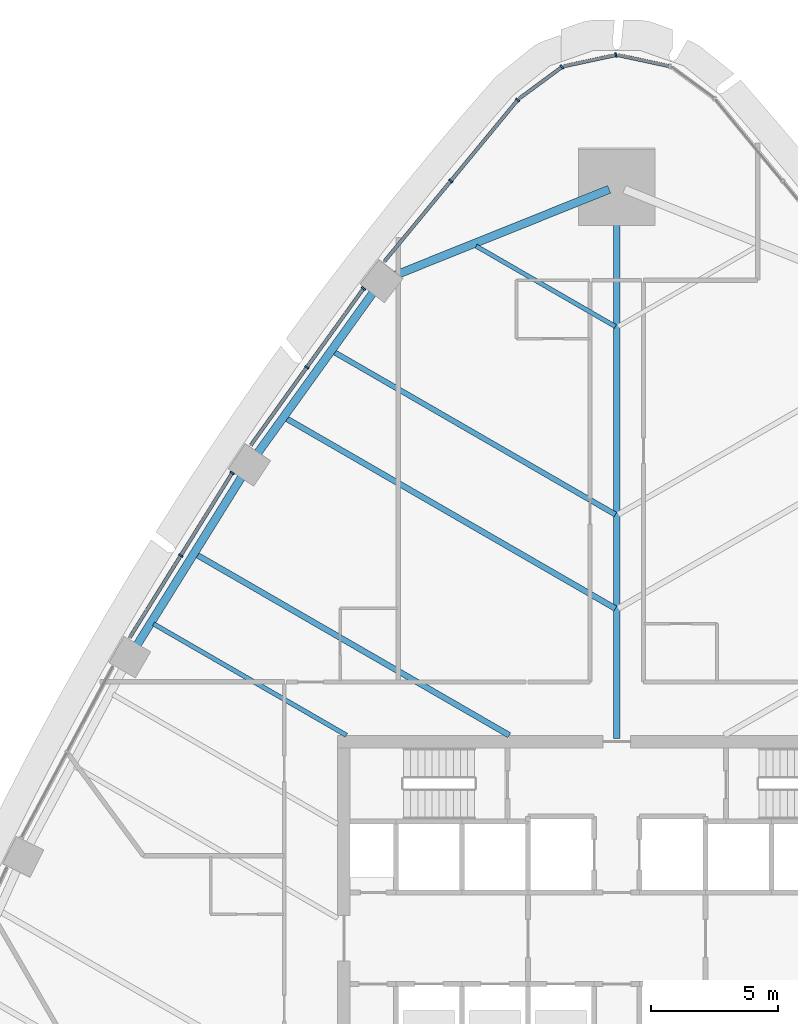
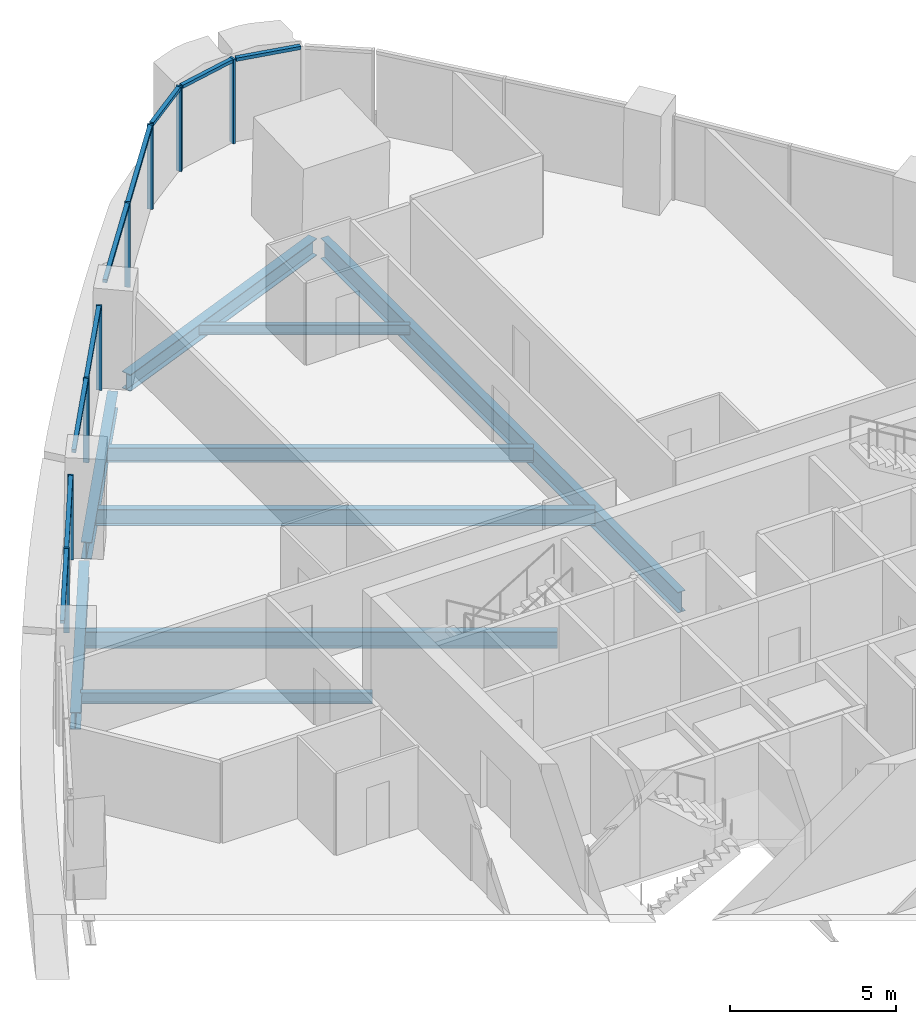
# One storey, part 6 of 17: 17 members, 9 beams, 6 elements without a shape of their own.
"""IFC4 building model written with IfcOpenShell, lengths in metres."""

from ifc_helpers import new_model, si_unit, direction, frame, origin, origin_2d, place, context, subcontext, project, spatial, rectangle, i_section, extrude, material, layer, layer_set, material_profile, profile_set, type_object, element, aggregate, save


model = new_model("IFC4")

# Units and contexts
model_context = context("Model", 3, precision=1e-05, world=origin(), true_north=direction((0.0, 1.0)))
body_context = subcontext(model_context, "Body", "Model", "MODEL_VIEW")
ifc_project = project(units=[si_unit("LENGTHUNIT", "METRE"), si_unit("AREAUNIT", "SQUARE_METRE"), si_unit("VOLUMEUNIT", "CUBIC_METRE"), si_unit("PLANEANGLEUNIT", "RADIAN"), si_unit("MASSUNIT", "GRAM", prefix="KILO")], contexts=[model_context])

# Site, building, storey
site_placement = place(None, origin())
site = spatial("IfcSite", under=ifc_project, at=site_placement, CompositionType="ELEMENT")
building_placement = place(site_placement, origin())
building = spatial("IfcBuilding", under=site, at=building_placement, Name="Sierra Prisma Convention Tower", CompositionType="ELEMENT")
storey_placement = place(building_placement, frame((0.0, 0.0, 99.800048828125)))
storey = spatial("IfcBuildingStorey", under=building, at=storey_placement, Name="L21", CompositionType="ELEMENT", Elevation=99.800048828125)

# Curtain wall, member
ifc_material_1 = material(Name="Aluminium and glass curtain wall", Category="aluminium")
ifc_layer = layer(ifc_material_1, 0.179931640625)
ifc_layer_set = layer_set([ifc_layer], Name="CW-1 Plain shaft curtain wall")
curtain_wall_type = type_object("IfcCurtainWallType", Name="CW-1 Plain shaft curtain wall", PredefinedType="NOTDEFINED", material=ifc_layer_set)
curtain_wall_1_placement = place(storey_placement, origin())
curtain_wall_1 = element("IfcCurtainWall", 1, at=curtain_wall_1_placement, inside=storey, type_object=curtain_wall_type, Name="CW-1 N3 L21", PredefinedType="NOTDEFINED")
ifc_material_2 = material(Name="Aluminium 6063-T6 bronze anodised", Category="aluminium")
ifc_material_profile_1 = material_profile(ifc_material_2, rectangle(XDim=0.179931640625, YDim=0.070068359375, at=origin_2d()), Name="ALU MULLION 70x180")
ifc_profile_set_1 = profile_set([ifc_material_profile_1], Name="Aluminium 6063-T6 bronze anodised")
member_type_1 = type_object("IfcMemberType", Name="CW mullion bronze", PredefinedType="MULLION", material=ifc_profile_set_1)
member_1_placement = place(storey_placement, frame((-0.0341796875, 34.800048828125, 0.0), z_axis=(0.0, 0.0, 1.0), x_axis=(0.210279651786, -0.977641277793, 0.0)))
member_1 = element("IfcMember", 2, at=member_1_placement, type_object=member_type_1, Name="CW-1 mullion N3.1", PredefinedType="MULLION", context=body_context, shape_type="SweptSolid", body=[
    extrude(rectangle(XDim=0.179931640625, YDim=0.070068359375, at=origin_2d()), origin(), (0.0, 0.0, 1.0), 3.099853515625),
])

curtain_wall_2_placement = place(storey_placement, origin())
curtain_wall_2 = element("IfcCurtainWall", 3, at=curtain_wall_2_placement, inside=storey, type_object=curtain_wall_type, Name="CW-1 N4 L21", PredefinedType="NOTDEFINED")
member_2_placement = place(storey_placement, frame((-2.157470703125, 34.32861328125, 0.0), z_axis=(0.0, 0.0, 1.0), x_axis=(0.593646766455, -0.804725740037, 0.0)))
member_2 = element("IfcMember", 4, at=member_2_placement, type_object=member_type_1, Name="CW-1 mullion N4.1", PredefinedType="MULLION", context=body_context, shape_type="SweptSolid", body=[
    extrude(rectangle(XDim=0.179931640625, YDim=0.070068359375, at=origin_2d()), origin(), (0.0, 0.0, 1.0), 3.099853515625),
])

# Curtain wall, members
curtain_wall_3_placement = place(storey_placement, origin())
curtain_wall_3 = element("IfcCurtainWall", 5, at=curtain_wall_3_placement, inside=storey, type_object=curtain_wall_type, Name="CW-1 NW1 L21", PredefinedType="NOTDEFINED")
member_3_placement = place(storey_placement, frame((-3.904052734375, 33.029541015625, 0.0), z_axis=(0.0, 0.0, 1.0), x_axis=(0.771207774523, -0.636583512601, 0.0)))
member_3 = element("IfcMember", 6, at=member_3_placement, type_object=member_type_1, Name="CW-1 mullion NW1.1", PredefinedType="MULLION", context=body_context, shape_type="SweptSolid", body=[
    extrude(rectangle(XDim=0.179931640625, YDim=0.070068359375, at=origin_2d()), origin(), (0.0, 0.0, 1.0), 3.099853515625),
])
member_4_placement = place(storey_placement, frame((-6.54052734375, 29.83544921875, 0.0), z_axis=(0.0, 0.0, 1.0), x_axis=(0.771207774523, -0.636583512601, 0.0)))
member_4 = element("IfcMember", 7, at=member_4_placement, type_object=member_type_1, Name="CW-1 mullion NW1.2", PredefinedType="MULLION", context=body_context, shape_type="SweptSolid", body=[
    extrude(rectangle(XDim=0.179931640625, YDim=0.070068359375, at=origin_2d()), origin(), (0.0, 0.0, 1.0), 3.099853515625),
])

curtain_wall_4_placement = place(storey_placement, origin())
curtain_wall_4 = element("IfcCurtainWall", 8, at=curtain_wall_4_placement, inside=storey, type_object=curtain_wall_type, Name="CW-1 NW2 L21", PredefinedType="NOTDEFINED")
member_5_placement = place(storey_placement, frame((-9.978515625, 25.599365234375, 0.0), z_axis=(0.0, 0.0, 1.0), x_axis=(0.811854125808, -0.583860324401, 0.0)))
member_5 = element("IfcMember", 9, at=member_5_placement, type_object=member_type_1, Name="CW-1 mullion NW2.1", PredefinedType="MULLION", context=body_context, shape_type="SweptSolid", body=[
    extrude(rectangle(XDim=0.179931640625, YDim=0.070068359375, at=origin_2d()), origin(), (0.0, 0.0, 1.0), 3.099853515625),
])
member_6_placement = place(storey_placement, frame((-12.208251953125, 22.498779296875, 0.0), z_axis=(0.0, 0.0, 1.0), x_axis=(0.811854125808, -0.583860324401, 0.0)))
member_6 = element("IfcMember", 10, at=member_6_placement, type_object=member_type_1, Name="CW-1 mullion NW2.2", PredefinedType="MULLION", context=body_context, shape_type="SweptSolid", body=[
    extrude(rectangle(XDim=0.179931640625, YDim=0.070068359375, at=origin_2d()), origin(), (0.0, 0.0, 1.0), 3.099853515625),
])

curtain_wall_5_placement = place(storey_placement, origin())
curtain_wall_5 = element("IfcCurtainWall", 11, at=curtain_wall_5_placement, inside=storey, type_object=curtain_wall_type, Name="CW-1 NW3 L21", PredefinedType="NOTDEFINED")
member_7_placement = place(storey_placement, frame((-15.1513671875, 18.332763671875, 0.0), z_axis=(0.0, 0.0, 1.0), x_axis=(0.848902452904, -0.528549548722, 0.0)))
member_7 = element("IfcMember", 12, at=member_7_placement, type_object=member_type_1, Name="CW-1 mullion NW3.1", PredefinedType="MULLION", context=body_context, shape_type="SweptSolid", body=[
    extrude(rectangle(XDim=0.179931640625, YDim=0.070068359375, at=origin_2d()), origin(), (0.0, 0.0, 1.0), 3.099853515625),
])
member_8_placement = place(storey_placement, frame((-17.178466796875, 15.076904296875, 0.0), z_axis=(0.0, 0.0, 1.0), x_axis=(0.848902452904, -0.528549548722, 0.0)))
member_8 = element("IfcMember", 13, at=member_8_placement, type_object=member_type_1, Name="CW-1 mullion NW3.2", PredefinedType="MULLION", context=body_context, shape_type="SweptSolid", body=[
    extrude(rectangle(XDim=0.179931640625, YDim=0.070068359375, at=origin_2d()), origin(), (0.0, 0.0, 1.0), 3.099853515625),
])

# Curtain wall, member
curtain_wall_6_placement = place(storey_placement, origin())
curtain_wall_6 = element("IfcCurtainWall", 14, at=curtain_wall_6_placement, inside=storey, type_object=curtain_wall_type, Name="CW-1 N2 L21", PredefinedType="NOTDEFINED")
ifc_material_3 = material(Name="Aluminium 6063-T6 bronze anodised", Category="aluminium")
ifc_material_profile_2 = material_profile(ifc_material_3, rectangle(XDim=0.139892578125, YDim=0.1201171875, at=origin_2d()), Name="ALU TRANSOM 120x140")
ifc_profile_set_2 = profile_set([ifc_material_profile_2], Name="Aluminium 6063-T6 bronze anodised")
member_type_2 = type_object("IfcMemberType", Name="CW transom bronze", PredefinedType="USERDEFINED", material=ifc_profile_set_2)
member_9_placement = place(storey_placement, frame((2.060791015625, 34.364013671875, 3.0400390625), z_axis=(-0.977625006092, 0.210355288653, 0.0), x_axis=(-0.210355288653, -0.977625006092, 0.0)))
member_9 = element("IfcMember", 15, at=member_9_placement, type_object=member_type_2, Name="CW-1 transom N2.1", ObjectType="TRANSOM", PredefinedType="USERDEFINED", context=body_context, shape_type="SweptSolid", body=[
    extrude(rectangle(XDim=0.139892578125, YDim=0.1201171875, at=origin_2d()), origin(), (0.0, 0.0, 1.0), 2.0380859375),
])
aggregate(curtain_wall_6, [member_9])

# Member
member_10_placement = place(storey_placement, frame((-0.068359375, 34.792724609375, 3.0400390625), z_axis=(-0.977625006092, -0.210355288653, 0.0), x_axis=(0.210355288653, -0.977625006092, 0.0)))
member_10 = element("IfcMember", 16, at=member_10_placement, type_object=member_type_2, Name="CW-1 transom N3.1", ObjectType="TRANSOM", PredefinedType="USERDEFINED", context=body_context, shape_type="SweptSolid", body=[
    extrude(rectangle(XDim=0.139892578125, YDim=0.1201171875, at=origin_2d()), origin(), (0.0, 0.0, 1.0), 2.0380859375),
])

aggregate(curtain_wall_1, [member_1, member_10])

member_11_placement = place(storey_placement, frame((-2.185546875, 34.307861328125, 3.0400390625), z_axis=(-0.804733512793, -0.593636229848, 0.0), x_axis=(0.593636229848, -0.804733512793, 0.0)))
member_11 = element("IfcMember", 17, at=member_11_placement, type_object=member_type_2, Name="CW-1 transom N4.1", ObjectType="TRANSOM", PredefinedType="USERDEFINED", context=body_context, shape_type="SweptSolid", body=[
    extrude(rectangle(XDim=0.139892578125, YDim=0.1201171875, at=origin_2d()), origin(), (0.0, 0.0, 1.0), 2.037841796875),
])

aggregate(curtain_wall_2, [member_2, member_11])

member_12_placement = place(storey_placement, frame((-3.92626953125, 33.00244140625, 3.0400390625), z_axis=(-0.636591641936, -0.771201064197, 0.0), x_axis=(0.771201064197, -0.636591641936, 0.0)))
member_12 = element("IfcMember", 18, at=member_12_placement, type_object=member_type_2, Name="CW-1 transom NW1.1", ObjectType="TRANSOM", PredefinedType="USERDEFINED", context=body_context, shape_type="SweptSolid", body=[
    extrude(rectangle(XDim=0.139892578125, YDim=0.1201171875, at=origin_2d()), origin(), (0.0, 0.0, 1.0), 4.07177734375),
])

member_13_placement = place(storey_placement, frame((-6.56298828125, 29.808349609375, 3.0400390625), z_axis=(-0.636555978825, -0.771230501097, 0.0), x_axis=(0.771230501097, -0.636555978825, 0.0)))
member_13 = element("IfcMember", 19, at=member_13_placement, type_object=member_type_2, Name="CW-1 transom NW1.2", ObjectType="TRANSOM", PredefinedType="USERDEFINED", context=body_context, shape_type="SweptSolid", body=[
    extrude(rectangle(XDim=0.139892578125, YDim=0.1201171875, at=origin_2d()), origin(), (0.0, 0.0, 1.0), 4.071533203125),
])

aggregate(curtain_wall_3, [member_3, member_4, member_12, member_13])

member_14_placement = place(storey_placement, frame((-9.9990234375, 25.57080078125, 3.0400390625), z_axis=(-0.583865475186, -0.811850421497, 0.0), x_axis=(0.811850421497, -0.583865475186, 0.0)))
member_14 = element("IfcMember", 20, at=member_14_placement, type_object=member_type_2, Name="CW-1 transom NW2.1", ObjectType="TRANSOM", PredefinedType="USERDEFINED", context=body_context, shape_type="SweptSolid", body=[
    extrude(rectangle(XDim=0.139892578125, YDim=0.1201171875, at=origin_2d()), origin(), (0.0, 0.0, 1.0), 3.7490234375),
])

member_15_placement = place(storey_placement, frame((-12.228759765625, 22.470458984375, 3.0400390625), z_axis=(-0.583865475186, -0.811850421497, 0.0), x_axis=(0.811850421497, -0.583865475186, 0.0)))
member_15 = element("IfcMember", 21, at=member_15_placement, type_object=member_type_2, Name="CW-1 transom NW2.2", ObjectType="TRANSOM", PredefinedType="USERDEFINED", context=body_context, shape_type="SweptSolid", body=[
    extrude(rectangle(XDim=0.139892578125, YDim=0.1201171875, at=origin_2d()), origin(), (0.0, 0.0, 1.0), 3.7490234375),
])

aggregate(curtain_wall_4, [member_5, member_6, member_14, member_15])

member_16_placement = place(storey_placement, frame((-15.169921875, 18.302978515625, 3.0400390625), z_axis=(-0.528529358249, -0.848915023703, 0.0), x_axis=(0.848915023703, -0.528529358249, 0.0)))
member_16 = element("IfcMember", 22, at=member_16_placement, type_object=member_type_2, Name="CW-1 transom NW3.1", ObjectType="TRANSOM", PredefinedType="USERDEFINED", context=body_context, shape_type="SweptSolid", body=[
    extrude(rectangle(XDim=0.139892578125, YDim=0.1201171875, at=origin_2d()), origin(), (0.0, 0.0, 1.0), 3.76513671875),
])

member_17_placement = place(storey_placement, frame((-17.197021484375, 15.04736328125, 3.0400390625), z_axis=(-0.528500266336, -0.84893313546, 0.0), x_axis=(0.84893313546, -0.528500266336, 0.0)))
member_17 = element("IfcMember", 23, at=member_17_placement, type_object=member_type_2, Name="CW-1 transom NW3.2", ObjectType="TRANSOM", PredefinedType="USERDEFINED", context=body_context, shape_type="SweptSolid", body=[
    extrude(rectangle(XDim=0.139892578125, YDim=0.1201171875, at=origin_2d()), origin(), (0.0, 0.0, 1.0), 3.765380859375),
])

aggregate(curtain_wall_5, [member_7, member_8, member_16, member_17])

# Beams
ifc_material_4 = material(Name="Steel ASTM A992 Gr 50", Category="steel")
ifc_material_profile_3 = material_profile(ifc_material_4, i_section(OverallWidth=0.172119140625, OverallDepth=0.35791015625, WebThickness=0.0078125, FlangeThickness=0.01318359375, at=origin_2d()), Name="W360x57")
ifc_profile_set_3 = profile_set([ifc_material_profile_3], Name="Steel ASTM A992 Gr 50")
beam_type_1 = type_object("IfcBeamType", Name="Floor joist W360x57", PredefinedType="JOIST", material=ifc_profile_set_3)
beam_1_placement = place(storey_placement, frame((-5.538818359375, 27.271240234375, -0.3291015625), z_axis=(0.866026414276, -0.499998249773, 0.0), x_axis=(0.499998249773, 0.866026414276, 0.0)))
element("IfcBeam", 24, at=beam_1_placement, inside=storey, type_object=beam_type_1, Name="Floor joist L21 NW02", PredefinedType="JOIST", context=body_context, shape_type="SweptSolid", body=[
    extrude(i_section(OverallWidth=0.172119140625, OverallDepth=0.35791015625, WebThickness=0.0078125, FlangeThickness=0.01318359375, at=origin_2d()), origin(), (0.0, 0.0, 1.0), 6.33447265625),
])
ifc_material_5 = material(Name="Steel ASTM A992 Gr 50", Category="steel")
ifc_material_profile_4 = material_profile(ifc_material_5, i_section(OverallWidth=0.177978515625, OverallDepth=0.406982421875, WebThickness=0.0078125, FlangeThickness=0.0126953125, at=origin_2d()), Name="W410x60")
ifc_profile_set_4 = profile_set([ifc_material_profile_4], Name="Steel ASTM A992 Gr 50")
beam_type_2 = type_object("IfcBeamType", Name="Floor joist W410x60", PredefinedType="JOIST", material=ifc_profile_set_4)
beam_2_placement = place(storey_placement, frame((-18.249267578125, 12.387939453125, -0.353515625), z_axis=(0.866031321059, -0.49998975084, 0.0), x_axis=(0.49998975084, 0.866031321059, 0.0)))
element("IfcBeam", 25, at=beam_2_placement, inside=storey, type_object=beam_type_2, Name="Floor joist L21 NW08", PredefinedType="JOIST", context=body_context, shape_type="SweptSolid", body=[
    extrude(i_section(OverallWidth=0.177978515625, OverallDepth=0.406982421875, WebThickness=0.0078125, FlangeThickness=0.0126953125, at=origin_2d()), origin(), (0.0, 0.0, 1.0), 8.776123046875),
])
ifc_material_6 = material(Name="Steel ASTM A992 Gr 50", Category="steel")
ifc_material_profile_5 = material_profile(ifc_material_6, i_section(OverallWidth=0.208984375, OverallDepth=0.532958984375, WebThickness=0.01025390625, FlangeThickness=0.015625, at=origin_2d()), Name="W530x92")
ifc_profile_set_5 = profile_set([ifc_material_profile_5], Name="Steel ASTM A992 Gr 50")
beam_type_3 = type_object("IfcBeamType", Name="Floor joist W530x92", PredefinedType="JOIST", material=ifc_profile_set_5)
beam_3_placement = place(storey_placement, frame((-11.144287109375, 23.100341796875, -0.41650390625), z_axis=(0.866025591402, -0.499999675036, 0.0), x_axis=(0.499999675036, 0.866025591402, 0.0)))
element("IfcBeam", 26, at=beam_3_placement, inside=storey, type_object=beam_type_3, Name="Floor joist L21 NW04", PredefinedType="JOIST", context=body_context, shape_type="SweptSolid", body=[
    extrude(i_section(OverallWidth=0.208984375, OverallDepth=0.532958984375, WebThickness=0.01025390625, FlangeThickness=0.015625, at=origin_2d()), origin(), (0.0, 0.0, 1.0), 12.80712890625),
])
ifc_material_7 = material(Name="Steel ASTM A992 Gr 50", Category="steel")
ifc_material_profile_6 = material_profile(ifc_material_7, i_section(OverallWidth=0.22802734375, OverallDepth=0.60302734375, WebThickness=0.010498046875, FlangeThickness=0.014892578125, at=origin_2d()), Name="W610x101")
ifc_profile_set_6 = profile_set([ifc_material_profile_6], Name="Steel ASTM A992 Gr 50")
beam_type_4 = type_object("IfcBeamType", Name="Floor joist W610x101", PredefinedType="JOIST", material=ifc_profile_set_6)
beam_4_placement = place(storey_placement, frame((-13.0263671875, 20.4833984375, -0.45166015625), z_axis=(0.866024104981, -0.500002249587, 0.0), x_axis=(0.500002249587, 0.866024104981, 0.0)))
element("IfcBeam", 27, at=beam_4_placement, inside=storey, type_object=beam_type_4, Name="Floor joist L21 NW05", PredefinedType="JOIST", context=body_context, shape_type="SweptSolid", body=[
    extrude(i_section(OverallWidth=0.22802734375, OverallDepth=0.60302734375, WebThickness=0.010498046875, FlangeThickness=0.014892578125, at=origin_2d()), origin(), (0.0, 0.0, 1.0), 14.98046875),
])
beam_5_placement = place(storey_placement, frame((-16.552978515625, 15.1123046875, -0.45166015625), z_axis=(0.866024956998, -0.500000773857, 0.0), x_axis=(0.500000773857, 0.866024956998, 0.0)))
element("IfcBeam", 28, at=beam_5_placement, inside=storey, type_object=beam_type_4, Name="Floor joist L21 NW07", PredefinedType="JOIST", context=body_context, shape_type="SweptSolid", body=[
    extrude(i_section(OverallWidth=0.22802734375, OverallDepth=0.60302734375, WebThickness=0.010498046875, FlangeThickness=0.014892578125, at=origin_2d()), origin(), (0.0, 0.0, 1.0), 14.224609375),
])
ifc_material_8 = material(Name="Steel ASTM A992 Gr 50", Category="steel")
ifc_material_profile_7 = material_profile(ifc_material_8, i_section(OverallWidth=0.264892578125, OverallDepth=0.7529296875, WebThickness=0.01318359375, FlangeThickness=0.01708984375, at=origin_2d()), Name="W760x147")
ifc_profile_set_7 = profile_set([ifc_material_profile_7], Name="Steel ASTM A992 Gr 50")
beam_type_5 = type_object("IfcBeamType", Name="Radial girder W760x147", PredefinedType="BEAM", material=ifc_profile_set_7)
beam_6_placement = place(storey_placement, frame((0.0, 29.328857421875, -0.526611328125), z_axis=(0.0, -1.0, 0.0), x_axis=(1.0, 0.0, 0.0)))
element("IfcBeam", 29, at=beam_6_placement, inside=storey, type_object=beam_type_5, Name="Radial girder L21 N", PredefinedType="BEAM", context=body_context, shape_type="SweptSolid", body=[
    extrude(i_section(OverallWidth=0.264892578125, OverallDepth=0.7529296875, WebThickness=0.01318359375, FlangeThickness=0.01708984375, at=origin_2d()), origin(), (0.0, 0.0, 1.0), 21.448974609375),
])
ifc_material_9 = material(Name="Steel ASTM A992 Gr 50", Category="steel")
ifc_material_profile_8 = material_profile(ifc_material_9, i_section(OverallWidth=0.324951171875, OverallDepth=0.615966796875, WebThickness=0.013916015625, FlangeThickness=0.021484375, at=origin_2d()), Name="W610x174")
ifc_profile_set_8 = profile_set([ifc_material_profile_8], Name="Steel ASTM A992 Gr 50")
beam_type_6 = type_object("IfcBeamType", Name="Spandrel beam W610x174", PredefinedType="BEAM", material=ifc_profile_set_8)
beam_7_placement = place(storey_placement, frame((-0.300048828125, 29.50830078125, -0.4580078125), z_axis=(-0.92793451709, -0.372743252108, 0.0), x_axis=(0.372743252108, -0.92793451709, 0.0)))
element("IfcBeam", 30, at=beam_7_placement, inside=storey, type_object=beam_type_6, Name="Spandrel L21-13", PredefinedType="BEAM", context=body_context, shape_type="SweptSolid", body=[
    extrude(i_section(OverallWidth=0.324951171875, OverallDepth=0.615966796875, WebThickness=0.013916015625, FlangeThickness=0.021484375, at=origin_2d()), origin(), (0.0, 0.0, 1.0), 9.084716796875),
])
beam_8_placement = place(storey_placement, frame((-9.545166015625, 25.517333984375, -0.4580078125), z_axis=(-0.583844427448, -0.811865558167, 0.0), x_axis=(0.811865558167, -0.583844427448, 0.0)))
element("IfcBeam", 31, at=beam_8_placement, inside=storey, type_object=beam_type_6, Name="Spandrel L21-14", PredefinedType="BEAM", context=body_context, shape_type="SweptSolid", body=[
    extrude(i_section(OverallWidth=0.324951171875, OverallDepth=0.615966796875, WebThickness=0.013916015625, FlangeThickness=0.021484375, at=origin_2d()), origin(), (0.0, 0.0, 1.0), 7.966064453125),
])
beam_9_placement = place(storey_placement, frame((-14.73046875, 18.25244140625, -0.4580078125), z_axis=(-0.52853261746, -0.848912994529, 0.0), x_axis=(0.848912994529, -0.52853261746, 0.0)))
element("IfcBeam", 32, at=beam_9_placement, inside=storey, type_object=beam_type_6, Name="Spandrel L21-15", PredefinedType="BEAM", context=body_context, shape_type="SweptSolid", body=[
    extrude(i_section(OverallWidth=0.324951171875, OverallDepth=0.615966796875, WebThickness=0.013916015625, FlangeThickness=0.021484375, at=origin_2d()), origin(), (0.0, 0.0, 1.0), 7.96630859375),
])

save(model, "model.ifc")
